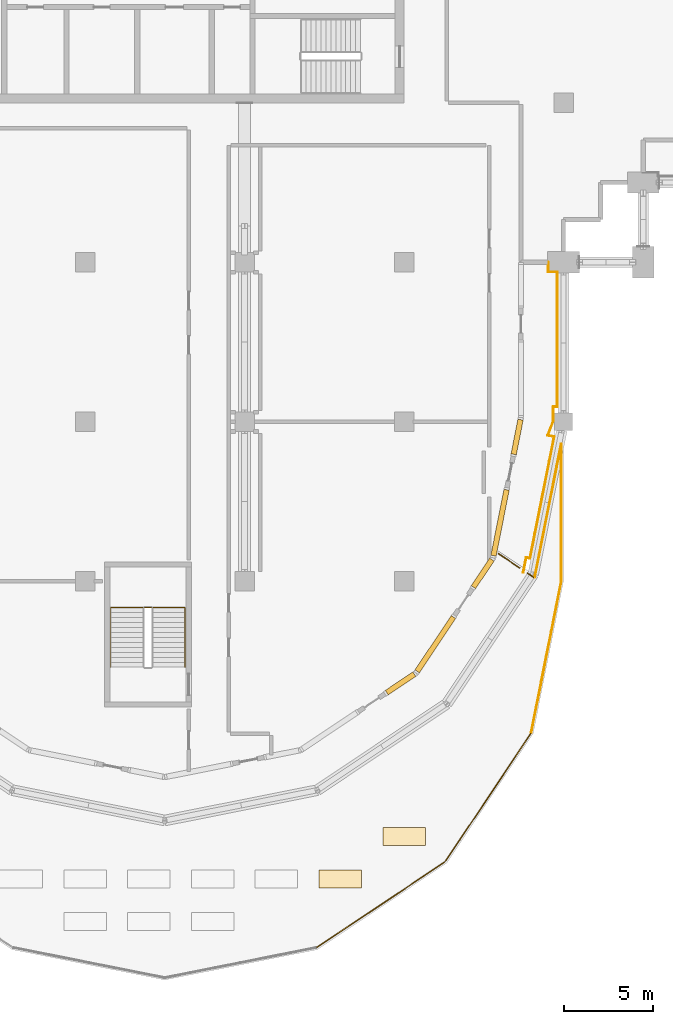
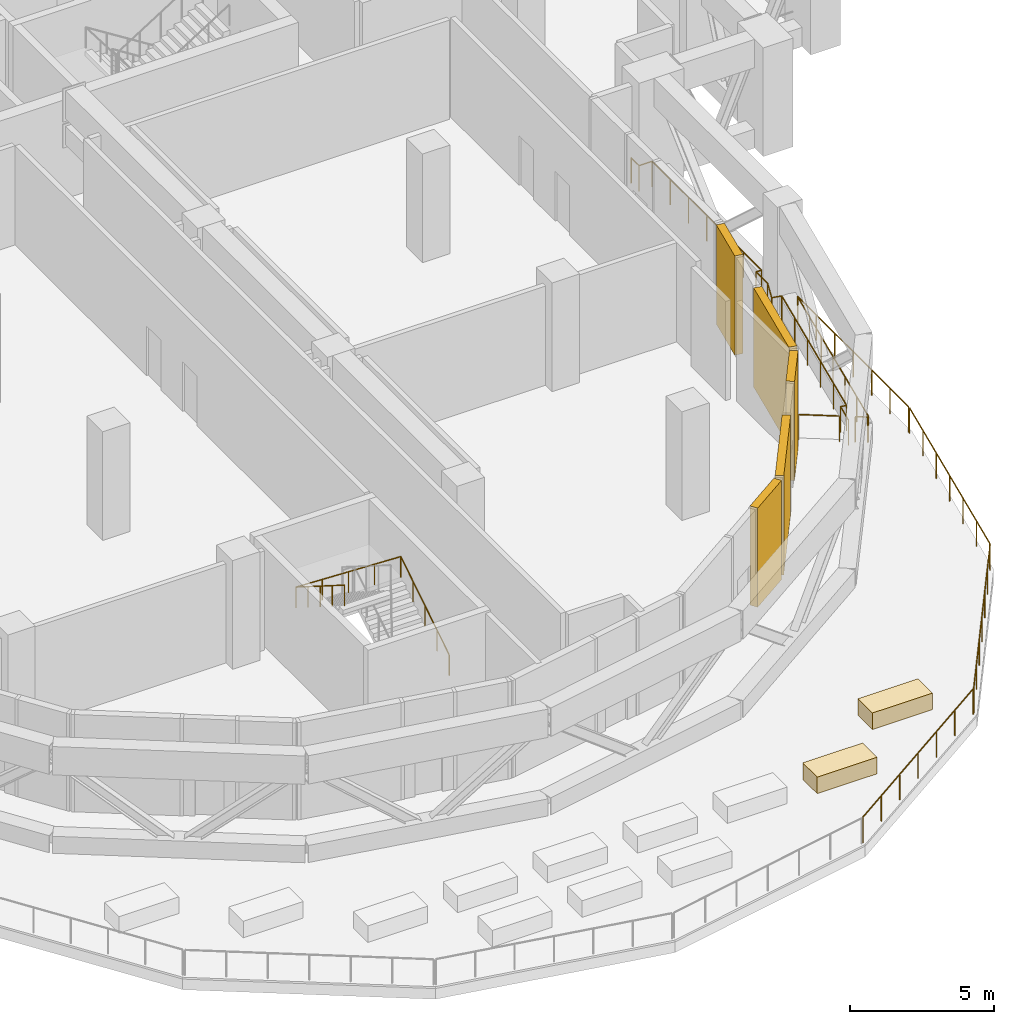
# One storey, part 14 of 16: 9 railings, 5 shading devices, 2 coverings.
"""IFC4 building model written with IfcOpenShell, lengths in metres."""

import ifcopenshell
import ifcopenshell.guid

model = None  # the IFC model being written
_history = None  # IfcOwnerHistory: only IFC2X3 demands one
_inside = {}  # id of a spatial element -> (the spatial element, [elements in it])
_under = {}  # id of a project, library or spatial element -> (it, [spatial elements below it])
_declared = {}  # id of a project -> (the project, [libraries it declares])
_typed = {}  # id of a type object -> (the type object, [elements of that type])
_made_of = {}  # id of a material, layer set ... -> (it, [elements and type objects made of it])


def new_model(schema):
    """Start an empty IFC model of exactly this schema.

    Asked for "IFC4X3", IfcOpenShell would pick the latest addendum, in which some entities
    have other attributes; the version numbers below select the first issue.
    IFC2X3 requires an IfcOwnerHistory on every rooted entity: one is made here for all.
    """
    global model, _history
    if schema == "IFC4X3":
        model = ifcopenshell.file(schema_version=(4, 3, 0, 0))
    else:
        model = ifcopenshell.file(schema=schema)
    _inside.clear()
    _under.clear()
    _declared.clear()
    _typed.clear()
    _made_of.clear()
    _history = None
    if model.schema == "IFC2X3":
        org = make("IfcOrganization", Name="unknown")
        user = make(
            "IfcPersonAndOrganization",
            ThePerson=make("IfcPerson", FamilyName="unknown"),
            TheOrganization=org,
        )
        app = make(
            "IfcApplication",
            ApplicationDeveloper=org,
            Version="unknown",
            ApplicationFullName="unknown",
            ApplicationIdentifier="unknown",
        )
        _history = make(
            "IfcOwnerHistory",
            OwningUser=user,
            OwningApplication=app,
            ChangeAction="ADDED",
            CreationDate=0,
        )
    return model


def make(cls, **values):
    """One entity of the class cls with the attributes given. An attribute that is None is left unset."""
    return model.create_entity(
        cls, **{name: value for name, value in values.items() if value is not None}
    )


def rooted(cls, **values):
    """An entity with a GlobalId (a new one), such as an element, a storey or a relation."""
    return make(cls, GlobalId=ifcopenshell.guid.new(), OwnerHistory=_history, **values)


def si_unit(unit_type, name, prefix=None):
    """IfcSIUnit, for example si_unit("LENGTHUNIT", "METRE", prefix="MILLI")."""
    return make("IfcSIUnit", UnitType=unit_type, Prefix=prefix, Name=name)


def assignment(units):
    """IfcUnitAssignment: the units of a project."""
    return None if units is None else make("IfcUnitAssignment", Units=units)


def point(xyz):
    """IfcCartesianPoint."""
    return None if xyz is None else make("IfcCartesianPoint", Coordinates=xyz)


def direction(xyz):
    """IfcDirection."""
    return None if xyz is None else make("IfcDirection", DirectionRatios=xyz)


def frame(location, z_axis=None, x_axis=None):
    """IfcAxis2Placement3D, a coordinate frame: its origin and axes. An axis left out is left unset."""
    return make(
        "IfcAxis2Placement3D",
        Location=point(location),
        Axis=direction(z_axis),
        RefDirection=direction(x_axis),
    )


def frame_2d(location, x_axis=None):
    """IfcAxis2Placement2D, a coordinate frame in the plane: its origin and x axis."""
    return make(
        "IfcAxis2Placement2D", Location=point(location), RefDirection=direction(x_axis)
    )


def origin():
    """The frame at (0, 0, 0) with its axes left unset."""
    return frame((0.0, 0.0, 0.0))


def origin_2d():
    """The frame at (0, 0) in the plane with its x axis left unset."""
    return frame_2d((0.0, 0.0))


def place(relative_to, where):
    """IfcLocalPlacement: puts the frame where relative to a parent placement (None: the world)."""
    return make(
        "IfcLocalPlacement", PlacementRelTo=relative_to, RelativePlacement=where
    )


def context(
    kind, dimensions, precision=None, world=None, true_north=None, identifier=None
):
    """IfcGeometricRepresentationContext, for example the 3D "Model" context."""
    return make(
        "IfcGeometricRepresentationContext",
        ContextIdentifier=identifier,
        ContextType=kind,
        CoordinateSpaceDimension=dimensions,
        Precision=precision,
        WorldCoordinateSystem=world,
        TrueNorth=true_north,
    )


def subcontext(parent, identifier, kind, view, scale=None):
    """IfcGeometricRepresentationSubContext, for example "Body" below "Model"."""
    return make(
        "IfcGeometricRepresentationSubContext",
        ContextIdentifier=identifier,
        ContextType=kind,
        ParentContext=parent,
        TargetScale=scale,
        TargetView=view,
    )


def project(units=None, contexts=None):
    """IfcProject with its units and contexts."""
    return rooted(
        "IfcProject",
        Name="project",
        RepresentationContexts=contexts,
        UnitsInContext=assignment(units),
    )


def spatial(cls, under=None, at=None, **own):
    """A site, building, storey or space (cls), placed at a placement, below another one or the project."""
    s = rooted(cls, ObjectPlacement=at, **own)
    if under is not None:
        _under.setdefault(under.id(), (under, []))[1].append(s)
    return s


def polyline(points):
    """IfcPolyline through the points."""
    return make("IfcPolyline", Points=[point(p) for p in points])


def profile(cls, at=None, kind="AREA", **sizes):
    """A parametric profile (cls). Its sizes go by their IFC names, for example OverallWidth=200.0."""
    return make(cls, ProfileType=kind, Position=at, **sizes)


def rectangle(**sizes):
    """IfcRectangleProfileDef."""
    return profile("IfcRectangleProfileDef", **sizes)


def circle(**sizes):
    """IfcCircleProfileDef."""
    return profile("IfcCircleProfileDef", **sizes)


def outline(outer, holes=None, kind="AREA"):
    """IfcArbitraryClosedProfileDef: a profile drawn as a closed curve; with holes, ...WithVoids."""
    if holes is None:
        return make("IfcArbitraryClosedProfileDef", ProfileType=kind, OuterCurve=outer)
    return make(
        "IfcArbitraryProfileDefWithVoids",
        ProfileType=kind,
        OuterCurve=outer,
        InnerCurves=holes,
    )


def extrude(swept, where, along, depth):
    """IfcExtrudedAreaSolid: the profile swept, set in the frame where, extruded along a direction by depth."""
    return make(
        "IfcExtrudedAreaSolid",
        SweptArea=swept,
        Position=where,
        ExtrudedDirection=direction(along),
        Depth=depth,
    )


def shape(context_of_items, identifier, shape_type, items):
    """IfcShapeRepresentation: the items that make up one representation, for example the "Body"."""
    return make(
        "IfcShapeRepresentation",
        ContextOfItems=context_of_items,
        RepresentationIdentifier=identifier,
        RepresentationType=shape_type,
        Items=items,
    )


def material(Name=None, Category=None):
    """IfcMaterial."""
    return make("IfcMaterial", Name=Name, Category=Category)


def layer(
    of_material, thickness, ventilated=None, Name=None, Category=None, Priority=None
):
    """IfcMaterialLayer: one layer of a wall or slab, of a material (None: an air gap)."""
    return make(
        "IfcMaterialLayer",
        Material=of_material,
        LayerThickness=thickness,
        IsVentilated=ventilated,
        Name=Name,
        Category=Category,
        Priority=Priority,
    )


def layer_set(layers, Name=None):
    """IfcMaterialLayerSet."""
    return make("IfcMaterialLayerSet", MaterialLayers=layers, LayerSetName=Name)


def made_of(thing, what):
    """Note that an element or type object is made of a material, layer set ...; save() writes the relation."""
    if what is not None:
        _made_of.setdefault(what.id(), (what, []))[1].append(thing)
    return thing


def type_object(cls, material=None, **own):
    """A type object (cls), such as IfcWallType, which elements share."""
    return made_of(rooted(cls, **own), material)


def element(
    cls,
    number,
    at=None,
    inside=None,
    cuts=None,
    type_object=None,
    material=None,
    context=None,
    identifier="Body",
    shape_type=None,
    held_by="IfcProductDefinitionShape",
    body=None,
    shapes=None,
    **own,
):
    """One element of the class cls, such as IfcWall. Its Tag is "e" and its number.

    at: its placement. inside: the storey or other place that contains it. cuts: it is an
    opening in that element (IfcRelVoidsElement). A single representation is given by context,
    identifier, shape_type and body (its items); several are given by shapes. held_by: the class
    of the entity that holds the representations. save() writes the other relations.
    """
    e = rooted(cls, Tag="e%d" % number, ObjectPlacement=at, **own)
    if body is not None:
        shapes = [shape(context, identifier, shape_type, body)]
    if shapes is not None:
        e.Representation = make(held_by, Representations=shapes)
    if inside is not None:
        _inside.setdefault(inside.id(), (inside, []))[1].append(e)
    if cuts is not None:
        rooted(
            "IfcRelVoidsElement", RelatingBuildingElement=cuts, RelatedOpeningElement=e
        )
    if type_object is not None:
        _typed.setdefault(type_object.id(), (type_object, []))[1].append(e)
    return made_of(e, material)


def aggregate(whole, parts):
    """IfcRelAggregates: a whole, such as a stair, and the parts it consists of."""
    return rooted("IfcRelAggregates", RelatingObject=whole, RelatedObjects=parts)


def save(model, path):
    """Write the relations noted so far, then the file.

    IfcRelAggregates (storeys below a building ...), IfcRelContainedInSpatialStructure (elements
    in a storey), IfcRelDefinesByType, IfcRelAssociatesMaterial and IfcRelDeclares: one each for
    every whole, place, type object, material and project.
    """
    for whole, parts in _under.values():
        aggregate(whole, parts)
    for where, things in _inside.values():
        rooted(
            "IfcRelContainedInSpatialStructure",
            RelatedElements=things,
            RelatingStructure=where,
        )
    for kind, things in _typed.values():
        rooted("IfcRelDefinesByType", RelatedObjects=things, RelatingType=kind)
    for what, things in _made_of.values():
        rooted("IfcRelAssociatesMaterial", RelatedObjects=things, RelatingMaterial=what)
    for by, libraries in _declared.values():
        rooted("IfcRelDeclares", RelatingContext=by, RelatedDefinitions=libraries)
    model.write(path)


model = new_model("IFC4")

# Units and contexts
model_context = context("Model", 3, precision=1e-05, world=origin(), true_north=direction((0.0, 1.0)))
body_context = subcontext(model_context, "Body", "Model", "MODEL_VIEW")
ifc_project = project(units=[si_unit("LENGTHUNIT", "METRE"), si_unit("AREAUNIT", "SQUARE_METRE"), si_unit("VOLUMEUNIT", "CUBIC_METRE"), si_unit("PLANEANGLEUNIT", "RADIAN"), si_unit("MASSUNIT", "GRAM", prefix="KILO")], contexts=[model_context])

# Site, building, storey
site_placement = place(None, origin())
site = spatial("IfcSite", under=ifc_project, at=site_placement, CompositionType="ELEMENT")
building_placement = place(site_placement, origin())
building = spatial("IfcBuilding", under=site, at=building_placement, Name="Hunhe Ridgeline Campus", CompositionType="ELEMENT")
storey_placement = place(building_placement, frame((0.0, 0.0, 227.199951171875)))
storey = spatial("IfcBuildingStorey", under=building, at=storey_placement, Name="L58", CompositionType="ELEMENT", Elevation=227.199951171875)

# Railings
ifc_material_1 = material(Name="Steel Q355", Category="steel")
railing_type_1 = type_object("IfcRailingType", Name="Loggia guard 1100 Steel Q355", PredefinedType="GUARDRAIL", material=ifc_material_1)
railing_1_placement = place(storey_placement, frame((42.728271484375, 36.500732421875, 0.0)))
element("IfcRailing", 1, at=railing_1_placement, inside=storey, type_object=railing_type_1, Name="Loggia guard 2", PredefinedType="GUARDRAIL", context=body_context, shape_type="SweptSolid", body=[
    extrude(circle(Radius=0.02392578125, at=origin_2d()), frame((0.0, 0.0, 1.076171875), z_axis=(0.195011380698, 0.980800979505, 0.0), x_axis=(-0.980800979505, 0.195011380698, 0.0)), (0.0, 0.0, 1.0), 0.85009765625),
    extrude(circle(Radius=0.02392578125, at=origin_2d()), frame((0.165771484375, 0.833740234375, 1.076171875), z_axis=(0.980750988442, -0.195262640233, 0.0), x_axis=(0.195262640233, 0.980750988442, 0.0)), (0.0, 0.0, 1.0), 0.219970703125),
    extrude(circle(Radius=0.02392578125, at=origin_2d()), frame((0.381591796875, 0.790771484375, 1.076171875), z_axis=(0.195082678264, 0.980786800809, 0.0), x_axis=(-0.980786800809, 0.195082678264, 0.0)), (0.0, 0.0, 1.0), 6.9970703125),
    extrude(circle(Radius=0.02392578125, at=origin_2d()), frame((1.74658203125, 7.6533203125, 1.076171875), z_axis=(-0.980759647752, 0.195219141842, 0.0), x_axis=(-0.195219141842, -0.980759647752, 0.0)), (0.0, 0.0, 1.0), 0.366455078125),
    extrude(circle(Radius=0.02392578125, at=origin_2d()), frame((1.38720703125, 7.724853515625, 1.076171875), z_axis=(0.354074070723, 0.935217382453, 0.0), x_axis=(-0.935217382453, 0.354074070723, 0.0)), (0.0, 0.0, 1.0), 0.88818359375),
    extrude(circle(Radius=0.02392578125, at=origin_2d()), frame((1.70166015625, 8.555419921875, 1.076171875), z_axis=(0.0, 1.0, 0.0), x_axis=(-1.0, 0.0, 0.0)), (0.0, 0.0, 1.0), 0.7939453125),
    extrude(circle(Radius=0.02392578125, at=origin_2d()), frame((1.70166015625, 9.349365234375, 1.076171875), z_axis=(1.0, 0.0, 0.0), x_axis=(0.0, 1.0, 0.0)), (0.0, 0.0, 1.0), 0.219970703125),
    extrude(circle(Radius=0.02392578125, at=origin_2d()), frame((1.921630859375, 9.349365234375, 1.076171875), z_axis=(0.0, 1.0, 0.0), x_axis=(-1.0, 0.0, 0.0)), (0.0, 0.0, 1.0), 7.599853515625),
    extrude(circle(Radius=0.02392578125, at=origin_2d()), frame((1.921630859375, 16.94921875, 1.076171875), z_axis=(-1.0, 0.0, 0.0), x_axis=(0.0, -1.0, 0.0)), (0.0, 0.0, 1.0), 0.52001953125),
    extrude(circle(Radius=0.02392578125, at=origin_2d()), frame((1.401611328125, 16.94921875, 1.076171875), z_axis=(0.0, 1.0, 0.0), x_axis=(-1.0, 0.0, 0.0)), (0.0, 0.0, 1.0), 0.550048828125),
    extrude(circle(Radius=0.02099609375, at=origin_2d()), origin(), (0.0, 0.0, 1.0), 1.052001953125),
    extrude(circle(Radius=0.02099609375, at=origin_2d()), frame((0.165771484375, 0.833740234375, 0.0)), (0.0, 0.0, 1.0), 1.052001953125),
    extrude(circle(Radius=0.02099609375, at=origin_2d()), frame((0.381591796875, 0.790771484375, 0.0)), (0.0, 0.0, 1.0), 1.052001953125),
    extrude(circle(Radius=0.02099609375, at=origin_2d()), frame((0.654541015625, 2.163330078125, 0.0)), (0.0, 0.0, 1.0), 1.052001953125),
    extrude(circle(Radius=0.02099609375, at=origin_2d()), frame((0.927490234375, 3.535888671875, 0.0)), (0.0, 0.0, 1.0), 1.052001953125),
    extrude(circle(Radius=0.02099609375, at=origin_2d()), frame((1.20068359375, 4.908203125, 0.0)), (0.0, 0.0, 1.0), 1.052001953125),
    extrude(circle(Radius=0.02099609375, at=origin_2d()), frame((1.4736328125, 6.28076171875, 0.0)), (0.0, 0.0, 1.0), 1.052001953125),
    extrude(circle(Radius=0.02099609375, at=origin_2d()), frame((1.74658203125, 7.6533203125, 0.0)), (0.0, 0.0, 1.0), 1.052001953125),
    extrude(circle(Radius=0.02099609375, at=origin_2d()), frame((1.38720703125, 7.724853515625, 0.0)), (0.0, 0.0, 1.0), 1.052001953125),
    extrude(circle(Radius=0.02099609375, at=origin_2d()), frame((1.70166015625, 8.555419921875, 0.0)), (0.0, 0.0, 1.0), 1.052001953125),
    extrude(circle(Radius=0.02099609375, at=origin_2d()), frame((1.70166015625, 9.349365234375, 0.0)), (0.0, 0.0, 1.0), 1.052001953125),
    extrude(circle(Radius=0.02099609375, at=origin_2d()), frame((1.921630859375, 9.349365234375, 0.0)), (0.0, 0.0, 1.0), 1.052001953125),
    extrude(circle(Radius=0.02099609375, at=origin_2d()), frame((1.921630859375, 10.615966796875, 0.0)), (0.0, 0.0, 1.0), 1.052001953125),
    extrude(circle(Radius=0.02099609375, at=origin_2d()), frame((1.921630859375, 11.882568359375, 0.0)), (0.0, 0.0, 1.0), 1.052001953125),
    extrude(circle(Radius=0.02099609375, at=origin_2d()), frame((1.921630859375, 13.1494140625, 0.0)), (0.0, 0.0, 1.0), 1.052001953125),
    extrude(circle(Radius=0.02099609375, at=origin_2d()), frame((1.921630859375, 14.416015625, 0.0)), (0.0, 0.0, 1.0), 1.052001953125),
    extrude(circle(Radius=0.02099609375, at=origin_2d()), frame((1.921630859375, 15.6826171875, 0.0)), (0.0, 0.0, 1.0), 1.052001953125),
    extrude(circle(Radius=0.02099609375, at=origin_2d()), frame((1.921630859375, 16.94921875, 0.0)), (0.0, 0.0, 1.0), 1.052001953125),
    extrude(circle(Radius=0.02099609375, at=origin_2d()), frame((1.401611328125, 16.94921875, 0.0)), (0.0, 0.0, 1.0), 1.052001953125),
    extrude(circle(Radius=0.02099609375, at=origin_2d()), frame((1.401611328125, 17.499267578125, 0.0)), (0.0, 0.0, 1.0), 1.052001953125),
])
railing_2_placement = place(storey_placement, frame((42.97412109375, 36.455322265625, 0.080078125)))
element("IfcRailing", 2, at=railing_2_placement, inside=storey, type_object=railing_type_1, Name="Terrace guard 1", PredefinedType="GUARDRAIL", context=body_context, shape_type="SweptSolid", body=[
    extrude(circle(Radius=0.02392578125, at=origin_2d()), frame((0.0, 0.0, 1.076171875), z_axis=(0.831533051645, -0.555475277597, 0.0), x_axis=(0.555475277597, 0.831533051645, 0.0)), (0.0, 0.0, 1.0), 0.43603515625),
    extrude(circle(Radius=0.02099609375, at=origin_2d()), origin(), (0.0, 0.0, 1.0), 1.052001953125),
    extrude(circle(Radius=0.02099609375, at=origin_2d()), frame((0.362548828125, -0.2421875, 0.0)), (0.0, 0.0, 1.0), 1.052001953125),
])
railing_3_placement = place(storey_placement, frame((43.377685546875, 36.230224609375, 0.080078125)))
element("IfcRailing", 3, at=railing_3_placement, inside=storey, type_object=railing_type_1, Name="Terrace guard 2", PredefinedType="GUARDRAIL", context=body_context, shape_type="SweptSolid", body=[
    extrude(circle(Radius=0.02392578125, at=origin_2d()), frame((0.0, 0.0, 1.076171875), z_axis=(0.195129185157, 0.980777549243, 0.0), x_axis=(-0.980777549243, 0.195129185157, 0.0)), (0.0, 0.0, 1.0), 7.65966796875),
    extrude(circle(Radius=0.02099609375, at=origin_2d()), origin(), (0.0, 0.0, 1.0), 1.052001953125),
    extrude(circle(Radius=0.02099609375, at=origin_2d()), frame((0.2490234375, 1.251953125, 0.0)), (0.0, 0.0, 1.0), 1.052001953125),
    extrude(circle(Radius=0.02099609375, at=origin_2d()), frame((0.498291015625, 2.504150390625, 0.0)), (0.0, 0.0, 1.0), 1.052001953125),
    extrude(circle(Radius=0.02099609375, at=origin_2d()), frame((0.747314453125, 3.75634765625, 0.0)), (0.0, 0.0, 1.0), 1.052001953125),
    extrude(circle(Radius=0.02099609375, at=origin_2d()), frame((0.996337890625, 5.00830078125, 0.0)), (0.0, 0.0, 1.0), 1.052001953125),
    extrude(circle(Radius=0.02099609375, at=origin_2d()), frame((1.24560546875, 6.26025390625, 0.0)), (0.0, 0.0, 1.0), 1.052001953125),
    extrude(circle(Radius=0.02099609375, at=origin_2d()), frame((1.49462890625, 7.512451171875, 0.0)), (0.0, 0.0, 1.0), 1.052001953125),
])
railing_4_placement = place(storey_placement, frame((44.8798828125, 43.74169921875, 0.080078125)))
element("IfcRailing", 4, at=railing_4_placement, inside=storey, type_object=railing_type_1, Name="Terrace guard 3", PredefinedType="GUARDRAIL", context=body_context, shape_type="SweptSolid", body=[
    extrude(circle(Radius=0.02392578125, at=origin_2d()), frame((0.0, 0.0, 1.076171875), z_axis=(0.0, -1.0, 0.0), x_axis=(1.0, 0.0, 0.0)), (0.0, 0.0, 1.0), 7.68994140625),
    extrude(circle(Radius=0.02099609375, at=origin_2d()), origin(), (0.0, 0.0, 1.0), 1.052001953125),
    extrude(circle(Radius=0.02099609375, at=origin_2d()), frame((0.0, -1.28173828125, 0.0)), (0.0, 0.0, 1.0), 1.052001953125),
    extrude(circle(Radius=0.02099609375, at=origin_2d()), frame((0.0, -2.563232421875, 0.0)), (0.0, 0.0, 1.0), 1.052001953125),
    extrude(circle(Radius=0.02099609375, at=origin_2d()), frame((0.0, -3.844970703125, 0.0)), (0.0, 0.0, 1.0), 1.052001953125),
    extrude(circle(Radius=0.02099609375, at=origin_2d()), frame((0.0, -5.126708984375, 0.0)), (0.0, 0.0, 1.0), 1.052001953125),
    extrude(circle(Radius=0.02099609375, at=origin_2d()), frame((0.0, -6.408203125, 0.0)), (0.0, 0.0, 1.0), 1.052001953125),
    extrude(circle(Radius=0.02099609375, at=origin_2d()), frame((0.0, -7.68994140625, 0.0)), (0.0, 0.0, 1.0), 1.052001953125),
])
railing_5_placement = place(storey_placement, frame((44.872314453125, 35.97265625, 0.080078125)))
element("IfcRailing", 5, at=railing_5_placement, inside=storey, type_object=railing_type_1, Name="Terrace guard 4", PredefinedType="GUARDRAIL", context=body_context, shape_type="SweptSolid", body=[
    extrude(circle(Radius=0.02392578125, at=origin_2d()), frame((0.0, 0.0, 1.076171875), z_axis=(-0.195091784902, -0.980784989416, 0.0), x_axis=(0.980784989416, -0.195091784902, 0.0)), (0.0, 0.0, 1.0), 8.66357421875),
    extrude(circle(Radius=0.02099609375, at=origin_2d()), origin(), (0.0, 0.0, 1.0), 1.052001953125),
    extrude(circle(Radius=0.02099609375, at=origin_2d()), frame((-0.28173828125, -1.416259765625, 0.0)), (0.0, 0.0, 1.0), 1.052001953125),
    extrude(circle(Radius=0.02099609375, at=origin_2d()), frame((-0.5634765625, -2.832275390625, 0.0)), (0.0, 0.0, 1.0), 1.052001953125),
    extrude(circle(Radius=0.02099609375, at=origin_2d()), frame((-0.84521484375, -4.24853515625, 0.0)), (0.0, 0.0, 1.0), 1.052001953125),
    extrude(circle(Radius=0.02099609375, at=origin_2d()), frame((-1.126708984375, -5.664794921875, 0.0)), (0.0, 0.0, 1.0), 1.052001953125),
    extrude(circle(Radius=0.02099609375, at=origin_2d()), frame((-1.408447265625, -7.080810546875, 0.0)), (0.0, 0.0, 1.0), 1.052001953125),
    extrude(circle(Radius=0.02099609375, at=origin_2d()), frame((-1.690185546875, -8.4970703125, 0.0)), (0.0, 0.0, 1.0), 1.052001953125),
])
railing_6_placement = place(storey_placement, frame((43.152099609375, 27.403076171875, 0.080078125)))
element("IfcRailing", 6, at=railing_6_placement, inside=storey, type_object=railing_type_1, Name="Terrace guard 5", PredefinedType="GUARDRAIL", context=body_context, shape_type="SweptSolid", body=[
    extrude(circle(Radius=0.02392578125, at=origin_2d()), frame((0.0, 0.0, 1.076171875), z_axis=(-0.555579066977, -0.831463709573, 0.0), x_axis=(0.831463709573, -0.555579066977, 0.0)), (0.0, 0.0, 1.0), 8.651123046875),
    extrude(circle(Radius=0.02099609375, at=origin_2d()), origin(), (0.0, 0.0, 1.0), 1.052001953125),
    extrude(circle(Radius=0.02099609375, at=origin_2d()), frame((-0.801025390625, -1.19873046875, 0.0)), (0.0, 0.0, 1.0), 1.052001953125),
    extrude(circle(Radius=0.02099609375, at=origin_2d()), frame((-1.60205078125, -2.397705078125, 0.0)), (0.0, 0.0, 1.0), 1.052001953125),
    extrude(circle(Radius=0.02099609375, at=origin_2d()), frame((-2.4033203125, -3.5966796875, 0.0)), (0.0, 0.0, 1.0), 1.052001953125),
    extrude(circle(Radius=0.02099609375, at=origin_2d()), frame((-3.204345703125, -4.79541015625, 0.0)), (0.0, 0.0, 1.0), 1.052001953125),
    extrude(circle(Radius=0.02099609375, at=origin_2d()), frame((-4.00537109375, -5.994140625, 0.0)), (0.0, 0.0, 1.0), 1.052001953125),
    extrude(circle(Radius=0.02099609375, at=origin_2d()), frame((-4.806396484375, -7.193115234375, 0.0)), (0.0, 0.0, 1.0), 1.052001953125),
])
railing_7_placement = place(storey_placement, frame((38.2900390625, 20.154296875, 0.080078125)))
element("IfcRailing", 7, at=railing_7_placement, inside=storey, type_object=railing_type_1, Name="Terrace guard 6", PredefinedType="GUARDRAIL", context=body_context, shape_type="SweptSolid", body=[
    extrude(circle(Radius=0.02392578125, at=origin_2d()), frame((0.0, 0.0, 1.076171875), z_axis=(-0.831463709573, -0.555579066977, 0.0), x_axis=(0.555579066977, -0.831463709573, 0.0)), (0.0, 0.0, 1.0), 8.651123046875),
    extrude(circle(Radius=0.02099609375, at=origin_2d()), origin(), (0.0, 0.0, 1.0), 1.052001953125),
    extrude(circle(Radius=0.02099609375, at=origin_2d()), frame((-1.19873046875, -0.801025390625, 0.0)), (0.0, 0.0, 1.0), 1.052001953125),
    extrude(circle(Radius=0.02099609375, at=origin_2d()), frame((-2.397705078125, -1.60205078125, 0.0)), (0.0, 0.0, 1.0), 1.052001953125),
    extrude(circle(Radius=0.02099609375, at=origin_2d()), frame((-3.5966796875, -2.4033203125, 0.0)), (0.0, 0.0, 1.0), 1.052001953125),
    extrude(circle(Radius=0.02099609375, at=origin_2d()), frame((-4.79541015625, -3.204345703125, 0.0)), (0.0, 0.0, 1.0), 1.052001953125),
    extrude(circle(Radius=0.02099609375, at=origin_2d()), frame((-5.994140625, -4.00537109375, 0.0)), (0.0, 0.0, 1.0), 1.052001953125),
    extrude(circle(Radius=0.02099609375, at=origin_2d()), frame((-7.193115234375, -4.806396484375, 0.0)), (0.0, 0.0, 1.0), 1.052001953125),
])
railing_8_placement = place(storey_placement, frame((41.326171875, 37.555908203125, 0.080078125)))
element("IfcRailing", 8, at=railing_8_placement, inside=storey, type_object=railing_type_1, Name="Terrace guard 16", PredefinedType="GUARDRAIL", context=body_context, shape_type="SweptSolid", body=[
    extrude(circle(Radius=0.02392578125, at=origin_2d()), frame((0.0, 0.0, 1.076171875), z_axis=(0.831606790149, -0.555364876975, 0.0), x_axis=(0.555364876975, 0.831606790149, 0.0)), (0.0, 0.0, 1.0), 1.440673828125),
    extrude(circle(Radius=0.02099609375, at=origin_2d()), origin(), (0.0, 0.0, 1.0), 1.052001953125),
    extrude(circle(Radius=0.02099609375, at=origin_2d()), frame((1.197998046875, -0.800048828125, 0.0)), (0.0, 0.0, 1.0), 1.052001953125),
])

# Shading devices
ifc_material_2 = material(Name="Aluminium 6063", Category="aluminium")
ifc_layer = layer(ifc_material_2, 0.300048828125)
ifc_layer_set = layer_set([ifc_layer], Name="Louvre bank 300 Aluminium 6063")
shading_device_type = type_object("IfcShadingDeviceType", Name="Louvre bank 300 Aluminium 6063", PredefinedType="USERDEFINED", material=ifc_layer_set)
shading_device_1_placement = place(storey_placement, frame((35.80078125, 30.234375, 0.0), z_axis=(0.0, 0.0, 1.0), x_axis=(0.831469622629, 0.555570217564, 0.0)))
element("IfcShadingDevice", 9, at=shading_device_1_placement, inside=storey, type_object=shading_device_type, Name="Louvre bank 11", ObjectType="LOUVRE", PredefinedType="USERDEFINED", context=body_context, shape_type="SweptSolid", body=[
    extrude(rectangle(XDim=1.871826171875, YDim=0.300048828125, at=origin_2d()), origin(), (0.0, 0.0, 1.0), 4.199951171875),
])
shading_device_2_placement = place(storey_placement, frame((37.765625, 32.447509765625, 0.0), z_axis=(0.0, 0.0, 1.0), x_axis=(0.555570362959, 0.83146952548, 0.0)))
element("IfcShadingDevice", 10, at=shading_device_2_placement, inside=storey, type_object=shading_device_type, Name="Louvre bank 12", ObjectType="LOUVRE", PredefinedType="USERDEFINED", context=body_context, shape_type="SweptSolid", body=[
    extrude(rectangle(XDim=3.671875, YDim=0.300048828125, at=origin_2d()), origin(), (0.0, 0.0, 1.0), 4.199951171875),
])
shading_device_3_placement = place(storey_placement, frame((40.43896484375, 36.448486328125, 0.0), z_axis=(0.0, 0.0, 1.0), x_axis=(0.555570217564, 0.831469622629, 0.0)))
element("IfcShadingDevice", 11, at=shading_device_3_placement, inside=storey, type_object=shading_device_type, Name="Louvre bank 13", ObjectType="LOUVRE", PredefinedType="USERDEFINED", context=body_context, shape_type="SweptSolid", body=[
    extrude(rectangle(XDim=1.871826171875, YDim=0.300048828125, at=origin_2d()), origin(), (0.0, 0.0, 1.0), 4.199951171875),
])
shading_device_4_placement = place(storey_placement, frame((41.4189453125, 39.303955078125, 0.0), z_axis=(0.0, 0.0, 1.0), x_axis=(0.195090179937, 0.980785308664, 0.0)))
element("IfcShadingDevice", 12, at=shading_device_4_placement, inside=storey, type_object=shading_device_type, Name="Louvre bank 14", ObjectType="LOUVRE", PredefinedType="USERDEFINED", context=body_context, shape_type="SweptSolid", body=[
    extrude(rectangle(XDim=3.79248046875, YDim=0.300048828125, at=origin_2d()), origin(), (0.0, 0.0, 1.0), 4.199951171875),
])
shading_device_5_placement = place(storey_placement, frame((42.38134765625, 44.1416015625, 0.0), z_axis=(0.0, 0.0, 1.0), x_axis=(0.195090357587, 0.980785273328, 0.0)))
element("IfcShadingDevice", 13, at=shading_device_5_placement, inside=storey, type_object=shading_device_type, Name="Louvre bank 15", ObjectType="LOUVRE", PredefinedType="USERDEFINED", context=body_context, shape_type="SweptSolid", body=[
    extrude(rectangle(XDim=1.992431640625, YDim=0.300048828125, at=origin_2d()), origin(), (0.0, 0.0, 1.0), 4.199951171875),
])

# Coverings
ifc_material_3 = material(Name="Planting soil")
covering_type = type_object("IfcCoveringType", Name="Planter box 700 planting soil", PredefinedType="USERDEFINED", material=ifc_material_3)
covering_1_placement = place(storey_placement, frame((0.0, 0.0, 0.080078125)))
element("IfcCovering", 14, at=covering_1_placement, inside=storey, type_object=covering_type, Name="Planter 11", ObjectType="PLANTER", PredefinedType="USERDEFINED", context=body_context, shape_type="SweptSolid", body=[
    extrude(outline(polyline([(31.199951171875, 18.699951171875), (33.60009765625, 18.699951171875), (33.60009765625, 19.699951171875), (31.199951171875, 19.699951171875), (31.199951171875, 18.699951171875)])), origin(), (0.0, 0.0, 1.0), 0.699951171875),
])
covering_2_placement = place(storey_placement, frame((0.0, 0.0, 0.080078125)))
element("IfcCovering", 15, at=covering_2_placement, inside=storey, type_object=covering_type, Name="Planter 12", ObjectType="PLANTER", PredefinedType="USERDEFINED", context=body_context, shape_type="SweptSolid", body=[
    extrude(outline(polyline([(34.800048828125, 21.10009765625), (37.199951171875, 21.10009765625), (37.199951171875, 22.10009765625), (34.800048828125, 22.10009765625), (34.800048828125, 21.10009765625)])), origin(), (0.0, 0.0, 1.0), 0.699951171875),
])

# Railing
ifc_material_4 = material(Name="Stainless steel handrail", Category="steel")
railing_type_2 = type_object("IfcRailingType", Name="Stair handrail 900 stainless", PredefinedType="HANDRAIL", material=ifc_material_4)
railing_9_placement = place(storey_placement, frame((23.64990234375, 31.14990234375, 0.177001953125)))
element("IfcRailing", 16, at=railing_9_placement, inside=storey, type_object=railing_type_2, Name="L58 stair W3 handrail", PredefinedType="HANDRAIL", context=body_context, shape_type="SweptSolid", body=[
    extrude(circle(Radius=0.02392578125, at=origin_2d()), frame((0.0, 0.0, 0.8759765625), z_axis=(0.0, 0.845389635667, 0.534150132366), x_axis=(-1.0, 0.0, 0.0)), (0.0, 0.0, 1.0), 3.974609375),
    extrude(circle(Radius=0.02392578125, at=origin_2d()), frame((0.0, 3.360107421875, 2.9990234375), z_axis=(-0.999113130752, 0.0, 0.042106436075), x_axis=(0.0, -1.0, 0.0)), (0.0, 0.0, 1.0), 4.20361328125),
    extrude(circle(Radius=0.02392578125, at=origin_2d()), frame((-4.199951171875, 3.360107421875, 3.17578125), z_axis=(0.0, -0.845389635667, 0.534150132366), x_axis=(1.0, 0.0, 0.0)), (0.0, 0.0, 1.0), 3.974609375),
    extrude(circle(Radius=0.02099609375, at=origin_2d()), origin(), (0.0, 0.0, 1.0), 0.851806640625),
    extrude(circle(Radius=0.02099609375, at=origin_2d()), frame((0.0, 0.840087890625, 0.53076171875)), (0.0, 0.0, 1.0), 0.851806640625),
    extrude(circle(Radius=0.02099609375, at=origin_2d()), frame((0.0, 1.68017578125, 1.0615234375)), (0.0, 0.0, 1.0), 0.851806640625),
    extrude(circle(Radius=0.02099609375, at=origin_2d()), frame((0.0, 2.52001953125, 1.59228515625)), (0.0, 0.0, 1.0), 0.851806640625),
    extrude(circle(Radius=0.02099609375, at=origin_2d()), frame((0.0, 3.360107421875, 2.123046875)), (0.0, 0.0, 1.0), 0.851806640625),
    extrude(circle(Radius=0.02099609375, at=origin_2d()), frame((-1.050048828125, 3.360107421875, 2.167236328125)), (0.0, 0.0, 1.0), 0.851806640625),
    extrude(circle(Radius=0.02099609375, at=origin_2d()), frame((-2.10009765625, 3.360107421875, 2.21142578125)), (0.0, 0.0, 1.0), 0.851806640625),
    extrude(circle(Radius=0.02099609375, at=origin_2d()), frame((-3.14990234375, 3.360107421875, 2.255859375)), (0.0, 0.0, 1.0), 0.851806640625),
    extrude(circle(Radius=0.02099609375, at=origin_2d()), frame((-4.199951171875, 3.360107421875, 2.300048828125)), (0.0, 0.0, 1.0), 0.851806640625),
    extrude(circle(Radius=0.02099609375, at=origin_2d()), frame((-4.199951171875, 2.52001953125, 2.830810546875)), (0.0, 0.0, 1.0), 0.851806640625),
    extrude(circle(Radius=0.02099609375, at=origin_2d()), frame((-4.199951171875, 1.68017578125, 3.361572265625)), (0.0, 0.0, 1.0), 0.851806640625),
    extrude(circle(Radius=0.02099609375, at=origin_2d()), frame((-4.199951171875, 0.840087890625, 3.892333984375)), (0.0, 0.0, 1.0), 0.851806640625),
    extrude(circle(Radius=0.02099609375, at=origin_2d()), frame((-4.199951171875, 0.0, 4.423095703125)), (0.0, 0.0, 1.0), 0.851806640625),
])

save(model, "model.ifc")
